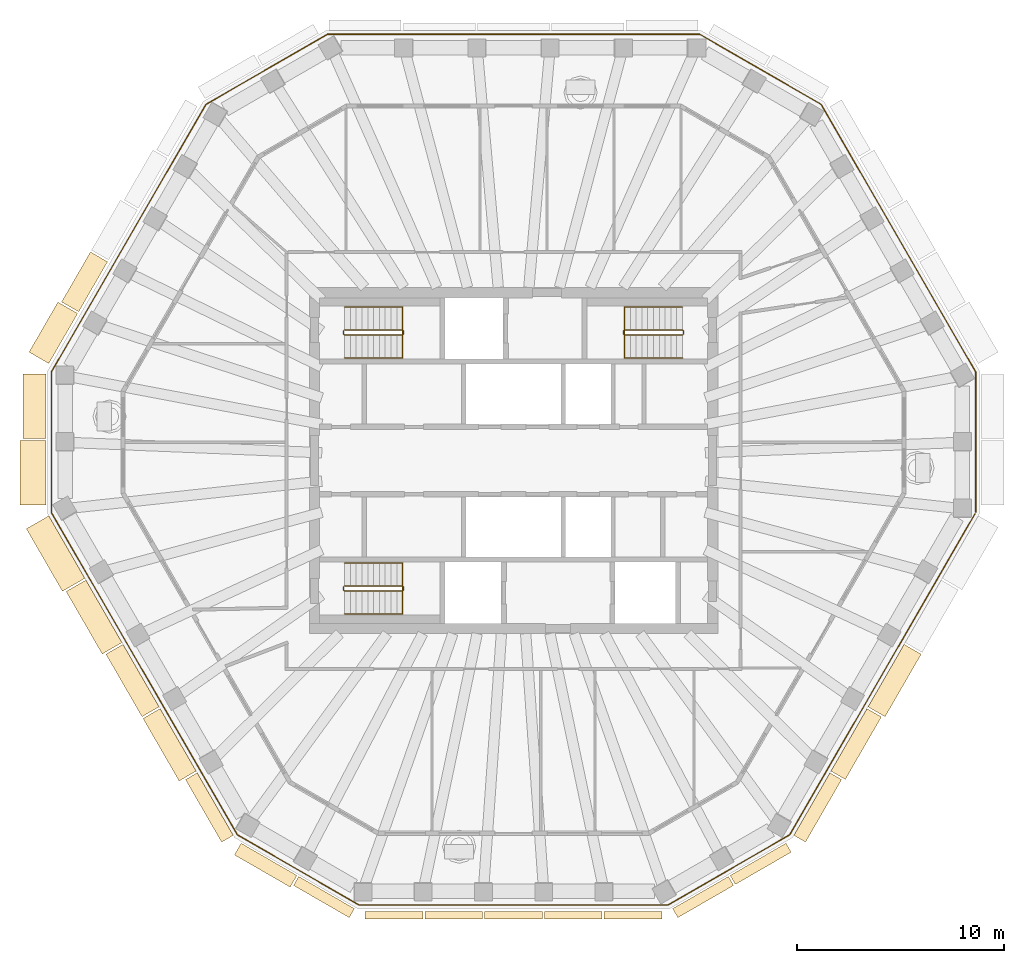
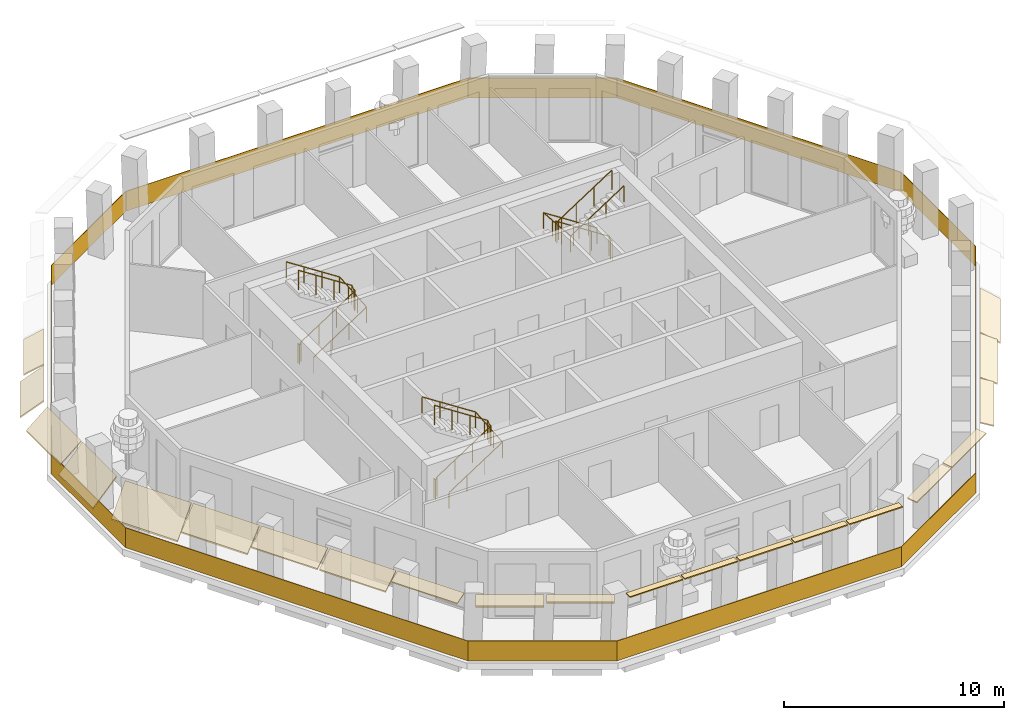
# One storey, part 8 of 11: 21 coverings, 7 railings.
"""IFC4 building model written with IfcOpenShell, lengths in metres."""

import ifcopenshell
import ifcopenshell.guid

model = None  # the IFC model being written
_history = None  # IfcOwnerHistory: only IFC2X3 demands one
_inside = {}  # id of a spatial element -> (the spatial element, [elements in it])
_under = {}  # id of a project, library or spatial element -> (it, [spatial elements below it])
_declared = {}  # id of a project -> (the project, [libraries it declares])
_typed = {}  # id of a type object -> (the type object, [elements of that type])
_made_of = {}  # id of a material, layer set ... -> (it, [elements and type objects made of it])


def new_model(schema):
    """Start an empty IFC model of exactly this schema.

    Asked for "IFC4X3", IfcOpenShell would pick the latest addendum, in which some entities
    have other attributes; the version numbers below select the first issue.
    IFC2X3 requires an IfcOwnerHistory on every rooted entity: one is made here for all.
    """
    global model, _history
    if schema == "IFC4X3":
        model = ifcopenshell.file(schema_version=(4, 3, 0, 0))
    else:
        model = ifcopenshell.file(schema=schema)
    _inside.clear()
    _under.clear()
    _declared.clear()
    _typed.clear()
    _made_of.clear()
    _history = None
    if model.schema == "IFC2X3":
        org = make("IfcOrganization", Name="unknown")
        user = make(
            "IfcPersonAndOrganization",
            ThePerson=make("IfcPerson", FamilyName="unknown"),
            TheOrganization=org,
        )
        app = make(
            "IfcApplication",
            ApplicationDeveloper=org,
            Version="unknown",
            ApplicationFullName="unknown",
            ApplicationIdentifier="unknown",
        )
        _history = make(
            "IfcOwnerHistory",
            OwningUser=user,
            OwningApplication=app,
            ChangeAction="ADDED",
            CreationDate=0,
        )
    return model


def make(cls, **values):
    """One entity of the class cls with the attributes given. An attribute that is None is left unset."""
    return model.create_entity(
        cls, **{name: value for name, value in values.items() if value is not None}
    )


def rooted(cls, **values):
    """An entity with a GlobalId (a new one), such as an element, a storey or a relation."""
    return make(cls, GlobalId=ifcopenshell.guid.new(), OwnerHistory=_history, **values)


def si_unit(unit_type, name, prefix=None):
    """IfcSIUnit, for example si_unit("LENGTHUNIT", "METRE", prefix="MILLI")."""
    return make("IfcSIUnit", UnitType=unit_type, Prefix=prefix, Name=name)


def assignment(units):
    """IfcUnitAssignment: the units of a project."""
    return None if units is None else make("IfcUnitAssignment", Units=units)


def point(xyz):
    """IfcCartesianPoint."""
    return None if xyz is None else make("IfcCartesianPoint", Coordinates=xyz)


def direction(xyz):
    """IfcDirection."""
    return None if xyz is None else make("IfcDirection", DirectionRatios=xyz)


def frame(location, z_axis=None, x_axis=None):
    """IfcAxis2Placement3D, a coordinate frame: its origin and axes. An axis left out is left unset."""
    return make(
        "IfcAxis2Placement3D",
        Location=point(location),
        Axis=direction(z_axis),
        RefDirection=direction(x_axis),
    )


def frame_2d(location, x_axis=None):
    """IfcAxis2Placement2D, a coordinate frame in the plane: its origin and x axis."""
    return make(
        "IfcAxis2Placement2D", Location=point(location), RefDirection=direction(x_axis)
    )


def origin():
    """The frame at (0, 0, 0) with its axes left unset."""
    return frame((0.0, 0.0, 0.0))


def origin_2d():
    """The frame at (0, 0) in the plane with its x axis left unset."""
    return frame_2d((0.0, 0.0))


def place(relative_to, where):
    """IfcLocalPlacement: puts the frame where relative to a parent placement (None: the world)."""
    return make(
        "IfcLocalPlacement", PlacementRelTo=relative_to, RelativePlacement=where
    )


def context(
    kind, dimensions, precision=None, world=None, true_north=None, identifier=None
):
    """IfcGeometricRepresentationContext, for example the 3D "Model" context."""
    return make(
        "IfcGeometricRepresentationContext",
        ContextIdentifier=identifier,
        ContextType=kind,
        CoordinateSpaceDimension=dimensions,
        Precision=precision,
        WorldCoordinateSystem=world,
        TrueNorth=true_north,
    )


def subcontext(parent, identifier, kind, view, scale=None):
    """IfcGeometricRepresentationSubContext, for example "Body" below "Model"."""
    return make(
        "IfcGeometricRepresentationSubContext",
        ContextIdentifier=identifier,
        ContextType=kind,
        ParentContext=parent,
        TargetScale=scale,
        TargetView=view,
    )


def project(units=None, contexts=None):
    """IfcProject with its units and contexts."""
    return rooted(
        "IfcProject",
        Name="project",
        RepresentationContexts=contexts,
        UnitsInContext=assignment(units),
    )


def spatial(cls, under=None, at=None, **own):
    """A site, building, storey or space (cls), placed at a placement, below another one or the project."""
    s = rooted(cls, ObjectPlacement=at, **own)
    if under is not None:
        _under.setdefault(under.id(), (under, []))[1].append(s)
    return s


def polyline(points):
    """IfcPolyline through the points."""
    return make("IfcPolyline", Points=[point(p) for p in points])


def profile(cls, at=None, kind="AREA", **sizes):
    """A parametric profile (cls). Its sizes go by their IFC names, for example OverallWidth=200.0."""
    return make(cls, ProfileType=kind, Position=at, **sizes)


def rectangle(**sizes):
    """IfcRectangleProfileDef."""
    return profile("IfcRectangleProfileDef", **sizes)


def circle(**sizes):
    """IfcCircleProfileDef."""
    return profile("IfcCircleProfileDef", **sizes)


def outline(outer, holes=None, kind="AREA"):
    """IfcArbitraryClosedProfileDef: a profile drawn as a closed curve; with holes, ...WithVoids."""
    if holes is None:
        return make("IfcArbitraryClosedProfileDef", ProfileType=kind, OuterCurve=outer)
    return make(
        "IfcArbitraryProfileDefWithVoids",
        ProfileType=kind,
        OuterCurve=outer,
        InnerCurves=holes,
    )


def extrude(swept, where, along, depth):
    """IfcExtrudedAreaSolid: the profile swept, set in the frame where, extruded along a direction by depth."""
    return make(
        "IfcExtrudedAreaSolid",
        SweptArea=swept,
        Position=where,
        ExtrudedDirection=direction(along),
        Depth=depth,
    )


def shape(context_of_items, identifier, shape_type, items):
    """IfcShapeRepresentation: the items that make up one representation, for example the "Body"."""
    return make(
        "IfcShapeRepresentation",
        ContextOfItems=context_of_items,
        RepresentationIdentifier=identifier,
        RepresentationType=shape_type,
        Items=items,
    )


def material(Name=None, Category=None):
    """IfcMaterial."""
    return make("IfcMaterial", Name=Name, Category=Category)


def layer(
    of_material, thickness, ventilated=None, Name=None, Category=None, Priority=None
):
    """IfcMaterialLayer: one layer of a wall or slab, of a material (None: an air gap)."""
    return make(
        "IfcMaterialLayer",
        Material=of_material,
        LayerThickness=thickness,
        IsVentilated=ventilated,
        Name=Name,
        Category=Category,
        Priority=Priority,
    )


def layer_set(layers, Name=None):
    """IfcMaterialLayerSet."""
    return make("IfcMaterialLayerSet", MaterialLayers=layers, LayerSetName=Name)


def made_of(thing, what):
    """Note that an element or type object is made of a material, layer set ...; save() writes the relation."""
    if what is not None:
        _made_of.setdefault(what.id(), (what, []))[1].append(thing)
    return thing


def type_object(cls, material=None, **own):
    """A type object (cls), such as IfcWallType, which elements share."""
    return made_of(rooted(cls, **own), material)


def element(
    cls,
    number,
    at=None,
    inside=None,
    cuts=None,
    type_object=None,
    material=None,
    context=None,
    identifier="Body",
    shape_type=None,
    held_by="IfcProductDefinitionShape",
    body=None,
    shapes=None,
    **own,
):
    """One element of the class cls, such as IfcWall. Its Tag is "e" and its number.

    at: its placement. inside: the storey or other place that contains it. cuts: it is an
    opening in that element (IfcRelVoidsElement). A single representation is given by context,
    identifier, shape_type and body (its items); several are given by shapes. held_by: the class
    of the entity that holds the representations. save() writes the other relations.
    """
    e = rooted(cls, Tag="e%d" % number, ObjectPlacement=at, **own)
    if body is not None:
        shapes = [shape(context, identifier, shape_type, body)]
    if shapes is not None:
        e.Representation = make(held_by, Representations=shapes)
    if inside is not None:
        _inside.setdefault(inside.id(), (inside, []))[1].append(e)
    if cuts is not None:
        rooted(
            "IfcRelVoidsElement", RelatingBuildingElement=cuts, RelatedOpeningElement=e
        )
    if type_object is not None:
        _typed.setdefault(type_object.id(), (type_object, []))[1].append(e)
    return made_of(e, material)


def aggregate(whole, parts):
    """IfcRelAggregates: a whole, such as a stair, and the parts it consists of."""
    return rooted("IfcRelAggregates", RelatingObject=whole, RelatedObjects=parts)


def save(model, path):
    """Write the relations noted so far, then the file.

    IfcRelAggregates (storeys below a building ...), IfcRelContainedInSpatialStructure (elements
    in a storey), IfcRelDefinesByType, IfcRelAssociatesMaterial and IfcRelDeclares: one each for
    every whole, place, type object, material and project.
    """
    for whole, parts in _under.values():
        aggregate(whole, parts)
    for where, things in _inside.values():
        rooted(
            "IfcRelContainedInSpatialStructure",
            RelatedElements=things,
            RelatingStructure=where,
        )
    for kind, things in _typed.values():
        rooted("IfcRelDefinesByType", RelatedObjects=things, RelatingType=kind)
    for what, things in _made_of.values():
        rooted("IfcRelAssociatesMaterial", RelatedObjects=things, RelatingMaterial=what)
    for by, libraries in _declared.values():
        rooted("IfcRelDeclares", RelatingContext=by, RelatedDefinitions=libraries)
    model.write(path)


model = new_model("IFC4")

# Units and contexts
model_context = context("Model", 3, precision=1e-05, world=origin(), true_north=direction((0.0, 1.0)))
body_context = subcontext(model_context, "Body", "Model", "MODEL_VIEW")
ifc_project = project(units=[si_unit("LENGTHUNIT", "METRE"), si_unit("AREAUNIT", "SQUARE_METRE"), si_unit("VOLUMEUNIT", "CUBIC_METRE"), si_unit("PLANEANGLEUNIT", "RADIAN"), si_unit("MASSUNIT", "GRAM", prefix="KILO")], contexts=[model_context])

# Site, building, storey
site_placement = place(None, origin())
site = spatial("IfcSite", under=ifc_project, at=site_placement, CompositionType="ELEMENT")
building_placement = place(site_placement, origin())
building = spatial("IfcBuilding", under=site, at=building_placement, Name="Frailejon Research Tower", CompositionType="ELEMENT")
storey_placement = place(building_placement, frame((0.0, 0.0, 336.60009765625)))
storey = spatial("IfcBuildingStorey", under=building, at=storey_placement, Name="L75", CompositionType="ELEMENT", Elevation=336.60009765625)

# Coverings
ifc_material_1 = material(Name="Precast concrete C50/60", Category="concrete")
ifc_layer_1 = layer(ifc_material_1, 0.06005859375)
ifc_layer_set_1 = layer_set([ifc_layer_1], Name="Brim blade depth 1100")
covering_type_1 = type_object("IfcCoveringType", Name="Brim blade depth 1100", PredefinedType="CLADDING", material=ifc_layer_set_1)
covering_1_placement = place(storey_placement, frame((-22.419189453125, 4.679931640625, 3.849853515625), z_axis=(0.499985704185, 0.86603365732, 0.0), x_axis=(-0.86603365732, 0.499985704185, 0.0)))
element("IfcCovering", 1, at=covering_1_placement, inside=storey, type_object=covering_type_1, Name="Brim blade L75", PredefinedType="CLADDING", context=body_context, shape_type="SweptSolid", body=[
    extrude(outline(polyline([(0.0, -0.078369140625), (1.10009765625, -1.001220703125), (1.10009765625, -0.923095703125), (0.0, 0.0), (0.0, -0.078369140625)])), origin(), (0.0, 0.0, 1.0), 2.78271484375),
])
covering_2_placement = place(storey_placement, frame((-22.55810546875, 1.0556640625, 3.849853515625), z_axis=(0.0, 1.0, 0.0), x_axis=(-1.0, 0.0, 0.0)))
element("IfcCovering", 2, at=covering_2_placement, inside=storey, type_object=covering_type_1, Name="Brim blade L75", PredefinedType="CLADDING", context=body_context, shape_type="SweptSolid", body=[
    extrude(outline(polyline([(0.0, -0.078369140625), (1.10009765625, -1.001220703125), (1.10009765625, -0.923095703125), (0.0, 0.0), (0.0, -0.078369140625)])), origin(), (0.0, 0.0, 1.0), 3.106201171875),
])
covering_3_placement = place(storey_placement, frame((-18.889892578125, -8.78173828125, 3.849853515625), z_axis=(-0.500006209744, 0.866021818557, 0.0), x_axis=(-0.866021818557, -0.500006209744, 0.0)))
element("IfcCovering", 3, at=covering_3_placement, inside=storey, type_object=covering_type_1, Name="Brim blade L75", PredefinedType="CLADDING", context=body_context, shape_type="SweptSolid", body=[
    extrude(outline(polyline([(0.0, -0.078369140625), (1.10009765625, -1.001220703125), (1.10009765625, -0.923095703125), (0.0, 0.0), (0.0, -0.078369140625)])), origin(), (0.0, 0.0, 1.0), 3.4794921875),
])
ifc_material_2 = material(Name="Precast concrete C50/60", Category="concrete")
ifc_layer_2 = layer(ifc_material_2, 0.06005859375)
ifc_layer_set_2 = layer_set([ifc_layer_2], Name="Brim blade depth 1250")
covering_type_2 = type_object("IfcCoveringType", Name="Brim blade depth 1250", PredefinedType="CLADDING", material=ifc_layer_set_2)
covering_4_placement = place(storey_placement, frame((-22.55810546875, -2.150390625, 3.849853515625), z_axis=(0.0, 1.0, 0.0), x_axis=(-1.0, 0.0, 0.0)))
element("IfcCovering", 4, at=covering_4_placement, inside=storey, type_object=covering_type_2, Name="Brim blade L75", PredefinedType="CLADDING", context=body_context, shape_type="SweptSolid", body=[
    extrude(outline(polyline([(0.0, -0.0888671875), (1.25, -1.452880859375), (1.25, -1.364013671875), (0.0, 0.0), (0.0, -0.0888671875)])), origin(), (0.0, 0.0, 1.0), 3.10595703125),
])
covering_5_placement = place(storey_placement, frame((-20.679443359375, -5.681884765625, 3.849853515625), z_axis=(-0.499994112085, 0.866028803147, 0.0), x_axis=(-0.866028803147, -0.499994112085, 0.0)))
element("IfcCovering", 5, at=covering_5_placement, inside=storey, type_object=covering_type_2, Name="Brim blade L75", PredefinedType="CLADDING", context=body_context, shape_type="SweptSolid", body=[
    extrude(outline(polyline([(0.0, -0.0888671875), (1.25, -1.452880859375), (1.25, -1.364013671875), (0.0, 0.0), (0.0, -0.0888671875)])), origin(), (0.0, 0.0, 1.0), 3.4794921875),
])
ifc_material_3 = material(Name="Precast concrete C50/60", Category="concrete")
ifc_layer_3 = layer(ifc_material_3, 0.06005859375)
ifc_layer_set_3 = layer_set([ifc_layer_3], Name="Brim blade depth 350")
covering_type_3 = type_object("IfcCoveringType", Name="Brim blade depth 350", PredefinedType="CLADDING", material=ifc_layer_set_3)
for number, where, z_axis, x_axis, name in (
    (6, (-4.3740234375, -21.755615234375, 3.849853515625), (-1.0, 0.0, 0.0), (0.0, -1.0, 0.0), "Brim blade L75"),
    (7, (-1.4912109375, -21.755615234375, 3.849853515625), (-1.0, 0.0, 0.0), (0.0, -1.0, 0.0), "Brim blade L75"),
    (8, (1.391357421875, -21.755615234375, 3.849853515625), (-1.0, 0.0, 0.0), (0.0, -1.0, 0.0), "Brim blade L75"),
    (9, (4.27392578125, -21.755615234375, 3.849853515625), (-1.0, 0.0, 0.0), (0.0, -1.0, 0.0), "Brim blade L75"),
    (10, (7.156494140625, -21.755615234375, 3.849853515625), (-1.0, 0.0, 0.0), (0.0, -1.0, 0.0), "Brim blade L75"),
):
    element("IfcCovering", number, at=place(storey_placement, frame(where, z_axis=z_axis, x_axis=x_axis)), inside=storey, type_object=covering_type_3, Name=name, PredefinedType="CLADDING", context=body_context, shape_type="SweptSolid", body=[
        extrude(outline(polyline([(0.0, -0.06005859375), (0.35009765625, -0.06005859375), (0.35009765625, 0.0), (0.0, 0.0), (0.0, -0.06005859375)])), origin(), (0.0, 0.0, 1.0), 2.78271484375),
    ])
ifc_material_4 = material(Name="Precast concrete C50/60", Category="concrete")
ifc_layer_4 = layer(ifc_material_4, 0.06005859375)
ifc_layer_set_4 = layer_set([ifc_layer_4], Name="Brim blade depth 500")
covering_type_4 = type_object("IfcCoveringType", Name="Brim blade depth 500", PredefinedType="CLADDING", material=ifc_layer_set_4)
for number, where, z_axis, x_axis, name in (
    (11, (-7.6748046875, -21.61669921875, 3.849853515625), (-0.866034959906, 0.499983447946, 0.0), (-0.499983447946, -0.866034959906, 0.0), "Brim blade L75"),
    (12, (10.364990234375, -20.063720703125, 3.849853515625), (-0.866034959906, -0.499983447946, 0.0), (0.499983447946, -0.866034959906, 0.0), "Brim blade L75"),
):
    element("IfcCovering", number, at=place(storey_placement, frame(where, z_axis=z_axis, x_axis=x_axis)), inside=storey, type_object=covering_type_4, Name=name, PredefinedType="CLADDING", context=body_context, shape_type="SweptSolid", body=[
        extrude(outline(polyline([(0.0, -0.060546875), (0.5, -0.130859375), (0.5, -0.0703125), (0.0, 0.0), (0.0, -0.060546875)])), origin(), (0.0, 0.0, 1.0), 3.106201171875),
    ])
covering_6_placement = place(storey_placement, frame((13.141357421875, -18.460693359375, 3.849853515625), z_axis=(-0.86602716254, -0.499996953734, 0.0), x_axis=(0.499996953734, -0.86602716254, 0.0)))
element("IfcCovering", 13, at=covering_6_placement, inside=storey, type_object=covering_type_4, Name="Brim blade L75", PredefinedType="CLADDING", context=body_context, shape_type="SweptSolid", body=[
    extrude(outline(polyline([(0.0, -0.060546875), (0.5, -0.130859375), (0.5, -0.0703125), (0.0, 0.0), (0.0, -0.060546875)])), origin(), (0.0, 0.0, 1.0), 3.10595703125),
])
ifc_material_5 = material(Name="Precast concrete C50/60", Category="concrete")
ifc_layer_5 = layer(ifc_material_5, 0.06005859375)
ifc_layer_set_5 = layer_set([ifc_layer_5], Name="Brim blade depth 650")
covering_type_5 = type_object("IfcCoveringType", Name="Brim blade depth 650", PredefinedType="CLADDING", material=ifc_layer_set_5)
covering_7_placement = place(storey_placement, frame((-13.520751953125, -18.081298828125, 3.849853515625), z_axis=(-0.499994112085, 0.866028803147, 0.0), x_axis=(-0.866028803147, -0.499994112085, 0.0)))
element("IfcCovering", 14, at=covering_7_placement, inside=storey, type_object=covering_type_5, Name="Brim blade L75", PredefinedType="CLADDING", context=body_context, shape_type="SweptSolid", body=[
    extrude(outline(polyline([(0.0, -0.0625), (0.64990234375, -0.248779296875), (0.64990234375, -0.186279296875), (0.0, 0.0), (0.0, -0.0625)])), origin(), (0.0, 0.0, 1.0), 3.4794921875),
])
covering_8_placement = place(storey_placement, frame((-10.451416015625, -20.013671875, 3.849853515625), z_axis=(-0.86602716254, 0.499996953734, 0.0), x_axis=(-0.499996953734, -0.86602716254, 0.0)))
element("IfcCovering", 15, at=covering_8_placement, inside=storey, type_object=covering_type_5, Name="Brim blade L75", PredefinedType="CLADDING", context=body_context, shape_type="SweptSolid", body=[
    extrude(outline(polyline([(0.0, -0.0625), (0.64990234375, -0.248779296875), (0.64990234375, -0.186279296875), (0.0, 0.0), (0.0, -0.0625)])), origin(), (0.0, 0.0, 1.0), 3.10595703125),
])
covering_9_placement = place(storey_placement, frame((15.260498046875, -15.068115234375, 3.849853515625), z_axis=(-0.499994112085, -0.866028803147, 0.0), x_axis=(0.866028803147, -0.499994112085, 0.0)))
element("IfcCovering", 16, at=covering_9_placement, inside=storey, type_object=covering_type_5, Name="Brim blade L75", PredefinedType="CLADDING", context=body_context, shape_type="SweptSolid", body=[
    extrude(outline(polyline([(0.0, -0.0625), (0.64990234375, -0.248779296875), (0.64990234375, -0.186279296875), (0.0, 0.0), (0.0, -0.0625)])), origin(), (0.0, 0.0, 1.0), 3.4794921875),
])
ifc_material_6 = material(Name="Precast concrete C50/60", Category="concrete")
ifc_layer_6 = layer(ifc_material_6, 0.06005859375)
ifc_layer_set_6 = layer_set([ifc_layer_6], Name="Brim blade depth 800")
covering_type_6 = type_object("IfcCoveringType", Name="Brim blade depth 800", PredefinedType="CLADDING", material=ifc_layer_set_6)
covering_10_placement = place(storey_placement, frame((17.05029296875, -11.96826171875, 3.849853515625), z_axis=(-0.500006209744, -0.866021818557, 0.0), x_axis=(0.866021818557, -0.500006209744, 0.0)))
element("IfcCovering", 17, at=covering_10_placement, inside=storey, type_object=covering_type_6, Name="Brim blade L75", PredefinedType="CLADDING", context=body_context, shape_type="SweptSolid", body=[
    extrude(outline(polyline([(0.0, -0.065673828125), (0.800048828125, -0.421875), (0.800048828125, -0.356201171875), (0.0, 0.0), (0.0, -0.065673828125)])), origin(), (0.0, 0.0, 1.0), 3.4794921875),
])
ifc_material_7 = material(Name="Precast concrete C50/60", Category="concrete")
ifc_layer_7 = layer(ifc_material_7, 0.06005859375)
ifc_layer_set_7 = layer_set([ifc_layer_7], Name="Brim blade depth 950")
covering_type_7 = type_object("IfcCoveringType", Name="Brim blade depth 950", PredefinedType="CLADDING", material=ifc_layer_set_7)
covering_11_placement = place(storey_placement, frame((-20.977783203125, 7.176513671875, 3.849853515625), z_axis=(0.500000725089, 0.866024985154, 0.0), x_axis=(-0.866024985154, 0.500000725089, 0.0)))
element("IfcCovering", 18, at=covering_11_placement, inside=storey, type_object=covering_type_7, Name="Brim blade L75", PredefinedType="CLADDING", context=body_context, shape_type="SweptSolid", body=[
    extrude(outline(polyline([(0.0, -0.07080078125), (0.949951171875, -0.664306640625), (0.949951171875, -0.593505859375), (0.0, 0.0), (0.0, -0.07080078125)])), origin(), (0.0, 0.0, 1.0), 2.78271484375),
])
covering_12_placement = place(storey_placement, frame((-17.10009765625, -11.881591796875, 3.849853515625), z_axis=(-0.49998525603, 0.866033916052, 0.0), x_axis=(-0.866033916052, -0.49998525603, 0.0)))
element("IfcCovering", 19, at=covering_12_placement, inside=storey, type_object=covering_type_7, Name="Brim blade L75", PredefinedType="CLADDING", context=body_context, shape_type="SweptSolid", body=[
    extrude(outline(polyline([(0.0, -0.07080078125), (0.949951171875, -0.664306640625), (0.949951171875, -0.593505859375), (0.0, 0.0), (0.0, -0.07080078125)])), origin(), (0.0, 0.0, 1.0), 3.479248046875),
])
covering_13_placement = place(storey_placement, frame((-15.310546875, -14.9814453125, 3.849853515625), z_axis=(-0.500006209744, 0.866021818557, 0.0), x_axis=(-0.866021818557, -0.500006209744, 0.0)))
element("IfcCovering", 20, at=covering_13_placement, inside=storey, type_object=covering_type_7, Name="Brim blade L75", PredefinedType="CLADDING", context=body_context, shape_type="SweptSolid", body=[
    extrude(outline(polyline([(0.0, -0.07080078125), (0.949951171875, -0.664306640625), (0.949951171875, -0.593505859375), (0.0, 0.0), (0.0, -0.07080078125)])), origin(), (0.0, 0.0, 1.0), 3.4794921875),
])
covering_14_placement = place(storey_placement, frame((18.83984375, -8.868408203125, 3.849853515625), z_axis=(-0.49998525603, -0.866033916052, 0.0), x_axis=(0.866033916052, -0.49998525603, 0.0)))
element("IfcCovering", 21, at=covering_14_placement, inside=storey, type_object=covering_type_7, Name="Brim blade L75", PredefinedType="CLADDING", context=body_context, shape_type="SweptSolid", body=[
    extrude(outline(polyline([(0.0, -0.07080078125), (0.949951171875, -0.664306640625), (0.949951171875, -0.593505859375), (0.0, 0.0), (0.0, -0.07080078125)])), origin(), (0.0, 0.0, 1.0), 3.479248046875),
])

# Railings
ifc_material_8 = material(Name="Laminated glass balustrade", Category="glass")
railing_type_1 = type_object("IfcRailingType", Name="Glass guard 1100", PredefinedType="GUARDRAIL", material=ifc_material_8)
railing_1_placement = place(storey_placement, frame((22.296630859375, -2.50341796875, 0.0)))
element("IfcRailing", 22, at=railing_1_placement, inside=storey, type_object=railing_type_1, Name="Loggia guard L75", PredefinedType="GUARDRAIL", context=body_context, shape_type="SweptSolid", body=[
    extrude(rectangle(XDim=6.7666015625, YDim=0.030029296875, at=origin_2d()), frame((0.0, 3.38330078125, 0.0), z_axis=(0.0, 0.0, 1.0), x_axis=(0.0, 1.0, 0.0)), (0.0, 0.0, 1.0), 1.10009765625),
    extrude(rectangle(XDim=14.91259765625, YDim=0.030029296875, at=origin_2d()), frame((-3.72802734375, 13.22412109375, 0.0), z_axis=(0.0, 0.0, 1.0), x_axis=(-0.499996907167, 0.866027189425, 0.0)), (0.0, 0.0, 1.0), 1.10009765625),
    extrude(rectangle(XDim=6.766357421875, YDim=0.030029296875, at=origin_2d()), frame((-10.38623046875, 21.373046875, 0.0), z_axis=(0.0, 0.0, 1.0), x_axis=(-0.866034171151, 0.499984814167, 0.0)), (0.0, 0.0, 1.0), 1.10009765625),
    extrude(rectangle(XDim=17.9609375, YDim=0.030029296875, at=origin_2d()), frame((-22.296630859375, 23.064453125, 0.0), z_axis=(0.0, 0.0, 1.0), x_axis=(-1.0, 0.0, 0.0)), (0.0, 0.0, 1.0), 1.10009765625),
    extrude(rectangle(XDim=6.766357421875, YDim=0.030029296875, at=origin_2d()), frame((-34.20703125, 21.373046875, 0.0), z_axis=(0.0, 0.0, 1.0), x_axis=(-0.866034171151, -0.499984814167, 0.0)), (0.0, 0.0, 1.0), 1.10009765625),
    extrude(rectangle(XDim=14.91259765625, YDim=0.030029296875, at=origin_2d()), frame((-40.865234375, 13.22412109375, 0.0), z_axis=(0.0, 0.0, 1.0), x_axis=(-0.499996907167, -0.866027189425, 0.0)), (0.0, 0.0, 1.0), 1.10009765625),
    extrude(rectangle(XDim=6.7666015625, YDim=0.030029296875, at=origin_2d()), frame((-44.59326171875, 3.38330078125, 0.0), z_axis=(0.0, 0.0, 1.0), x_axis=(0.0, -1.0, 0.0)), (0.0, 0.0, 1.0), 1.10009765625),
    extrude(rectangle(XDim=17.960693359375, YDim=0.030029296875, at=origin_2d()), frame((-40.10302734375, -7.77734375, 0.0), z_axis=(0.0, 0.0, 1.0), x_axis=(0.500004455092, -0.866022831621, 0.0)), (0.0, 0.0, 1.0), 1.10009765625),
    extrude(rectangle(XDim=6.766357421875, YDim=0.030029296875, at=origin_2d()), frame((-32.682861328125, -17.24609375, 0.0), z_axis=(0.0, 0.0, 1.0), x_axis=(0.866018547471, -0.500011875296, 0.0)), (0.0, 0.0, 1.0), 1.10009765625),
    extrude(rectangle(XDim=14.91259765625, YDim=0.030029296875, at=origin_2d()), frame((-22.296630859375, -18.937744140625, 0.0), z_axis=(0.0, 0.0, 1.0), x_axis=(1.0, 0.0, 0.0)), (0.0, 0.0, 1.0), 1.10009765625),
    extrude(rectangle(XDim=6.766357421875, YDim=0.030029296875, at=origin_2d()), frame((-11.910400390625, -17.24609375, 0.0), z_axis=(0.0, 0.0, 1.0), x_axis=(0.866018547471, 0.500011875296, 0.0)), (0.0, 0.0, 1.0), 1.10009765625),
    extrude(rectangle(XDim=17.890869140625, YDim=0.030029296875, at=origin_2d()), frame((-4.5078125, -7.8076171875, 0.0), z_axis=(0.0, 0.0, 1.0), x_axis=(0.500006344051, 0.866021741014, 0.0)), (0.0, 0.0, 1.0), 1.10009765625),
])
ifc_material_9 = material(Name="Stainless steel", Category="steel")
railing_type_2 = type_object("IfcRailingType", Name="Stair guard 1100", PredefinedType="GUARDRAIL", material=ifc_material_9)
railing_2_placement = place(storey_placement, frame((-8.199951171875, 6.25, 0.0)))
element("IfcRailing", 23, at=railing_2_placement, inside=storey, type_object=railing_type_2, Name="L75 ST1 stair guard 1", PredefinedType="GUARDRAIL", context=body_context, shape_type="SweptSolid", body=[
    extrude(circle(Radius=0.02392578125, at=origin_2d()), frame((0.0, 0.0, 1.076171875), z_axis=(0.0, -1.0, 0.0), x_axis=(1.0, 0.0, 0.0)), (0.0, 0.0, 1.0), 0.14990234375),
    extrude(circle(Radius=0.02392578125, at=origin_2d()), frame((0.0, -0.14990234375, 1.076171875), z_axis=(0.256734642926, -0.256734642926, 0.931758899203), x_axis=(0.707106781187, 0.707106781187, 0.0)), (0.0, 0.0, 1.0), 0.19482421875),
    extrude(circle(Radius=0.02392578125, at=origin_2d()), frame((0.050048828125, -0.199951171875, 1.2578125), z_axis=(0.838650734948, 0.0, 0.544669573936), x_axis=(0.0, 1.0, 0.0)), (0.0, 0.0, 1.0), 3.33837890625),
    extrude(circle(Radius=0.02392578125, at=origin_2d()), frame((2.849853515625, -0.199951171875, 3.076171875), z_axis=(0.707106781187, 0.707106781187, 0.0), x_axis=(-0.707106781187, 0.707106781187, 0.0)), (0.0, 0.0, 1.0), 0.07080078125),
    extrude(circle(Radius=0.02392578125, at=origin_2d()), frame((2.89990234375, -0.14990234375, 3.076171875), z_axis=(0.0, 1.0, 0.0), x_axis=(-1.0, 0.0, 0.0)), (0.0, 0.0, 1.0), 0.14990234375),
    extrude(circle(Radius=0.02392578125, at=origin_2d()), frame((2.89990234375, 0.0, 3.076171875), z_axis=(-0.256734642926, 0.256734642926, 0.931758899203), x_axis=(-0.707106781187, -0.707106781187, 0.0)), (0.0, 0.0, 1.0), 0.19482421875),
    extrude(circle(Radius=0.02392578125, at=origin_2d()), frame((2.849853515625, 0.050048828125, 3.2578125), z_axis=(-0.838650734948, 0.0, 0.544669573936), x_axis=(0.0, -1.0, 0.0)), (0.0, 0.0, 1.0), 3.33837890625),
    extrude(circle(Radius=0.02099609375, at=origin_2d()), origin(), (0.0, 0.0, 1.0), 1.052001953125),
    extrude(circle(Radius=0.02099609375, at=origin_2d()), frame((0.0, -0.14990234375, 0.0)), (0.0, 0.0, 1.0), 1.052001953125),
    extrude(circle(Radius=0.02099609375, at=origin_2d()), frame((0.050048828125, -0.199951171875, 0.181640625)), (0.0, 0.0, 1.0), 1.052001953125),
    extrude(circle(Radius=0.02099609375, at=origin_2d()), frame((0.9833984375, -0.199951171875, 0.787841796875)), (0.0, 0.0, 1.0), 1.052001953125),
    extrude(circle(Radius=0.02099609375, at=origin_2d()), frame((1.91650390625, -0.199951171875, 1.393798828125)), (0.0, 0.0, 1.0), 1.052001953125),
    extrude(circle(Radius=0.02099609375, at=origin_2d()), frame((2.849853515625, -0.199951171875, 2.0)), (0.0, 0.0, 1.0), 1.052001953125),
    extrude(circle(Radius=0.02099609375, at=origin_2d()), frame((2.89990234375, -0.14990234375, 2.0)), (0.0, 0.0, 1.0), 1.052001953125),
    extrude(circle(Radius=0.02099609375, at=origin_2d()), frame((2.89990234375, 0.0, 2.0)), (0.0, 0.0, 1.0), 1.052001953125),
    extrude(circle(Radius=0.02099609375, at=origin_2d()), frame((2.849853515625, 0.050048828125, 2.181640625)), (0.0, 0.0, 1.0), 1.052001953125),
    extrude(circle(Radius=0.02099609375, at=origin_2d()), frame((1.91650390625, 0.050048828125, 2.787841796875)), (0.0, 0.0, 1.0), 1.052001953125),
    extrude(circle(Radius=0.02099609375, at=origin_2d()), frame((0.9833984375, 0.050048828125, 3.393798828125)), (0.0, 0.0, 1.0), 1.052001953125),
    extrude(circle(Radius=0.02099609375, at=origin_2d()), frame((0.050048828125, 0.050048828125, 4.0)), (0.0, 0.0, 1.0), 1.052001953125),
])
railing_3_placement = place(storey_placement, frame((-8.199951171875, -6.10009765625, 0.0)))
element("IfcRailing", 24, at=railing_3_placement, inside=storey, type_object=railing_type_2, Name="L75 ST2 stair guard 1", PredefinedType="GUARDRAIL", context=body_context, shape_type="SweptSolid", body=[
    extrude(circle(Radius=0.02392578125, at=origin_2d()), frame((0.0, 0.0, 1.076171875), z_axis=(0.0, -1.0, 0.0), x_axis=(1.0, 0.0, 0.0)), (0.0, 0.0, 1.0), 0.14990234375),
    extrude(circle(Radius=0.02392578125, at=origin_2d()), frame((0.0, -0.14990234375, 1.076171875), z_axis=(0.256734642926, -0.256734642926, 0.931758899203), x_axis=(0.707106781187, 0.707106781187, 0.0)), (0.0, 0.0, 1.0), 0.19482421875),
    extrude(circle(Radius=0.02392578125, at=origin_2d()), frame((0.050048828125, -0.199951171875, 1.2578125), z_axis=(0.838650734948, 0.0, 0.544669573936), x_axis=(0.0, 1.0, 0.0)), (0.0, 0.0, 1.0), 3.33837890625),
    extrude(circle(Radius=0.02392578125, at=origin_2d()), frame((2.849853515625, -0.199951171875, 3.076171875), z_axis=(0.707106781187, 0.707106781187, 0.0), x_axis=(-0.707106781187, 0.707106781187, 0.0)), (0.0, 0.0, 1.0), 0.07080078125),
    extrude(circle(Radius=0.02392578125, at=origin_2d()), frame((2.89990234375, -0.14990234375, 3.076171875), z_axis=(0.0, 1.0, 0.0), x_axis=(-1.0, 0.0, 0.0)), (0.0, 0.0, 1.0), 0.14990234375),
    extrude(circle(Radius=0.02392578125, at=origin_2d()), frame((2.89990234375, 0.0, 3.076171875), z_axis=(-0.256734642926, 0.256734642926, 0.931758899203), x_axis=(-0.707106781187, -0.707106781187, 0.0)), (0.0, 0.0, 1.0), 0.19482421875),
    extrude(circle(Radius=0.02392578125, at=origin_2d()), frame((2.849853515625, 0.050048828125, 3.2578125), z_axis=(-0.838650734948, 0.0, 0.544669573936), x_axis=(0.0, -1.0, 0.0)), (0.0, 0.0, 1.0), 3.33837890625),
    extrude(circle(Radius=0.02099609375, at=origin_2d()), origin(), (0.0, 0.0, 1.0), 1.052001953125),
    extrude(circle(Radius=0.02099609375, at=origin_2d()), frame((0.0, -0.14990234375, 0.0)), (0.0, 0.0, 1.0), 1.052001953125),
    extrude(circle(Radius=0.02099609375, at=origin_2d()), frame((0.050048828125, -0.199951171875, 0.181640625)), (0.0, 0.0, 1.0), 1.052001953125),
    extrude(circle(Radius=0.02099609375, at=origin_2d()), frame((0.9833984375, -0.199951171875, 0.787841796875)), (0.0, 0.0, 1.0), 1.052001953125),
    extrude(circle(Radius=0.02099609375, at=origin_2d()), frame((1.91650390625, -0.199951171875, 1.393798828125)), (0.0, 0.0, 1.0), 1.052001953125),
    extrude(circle(Radius=0.02099609375, at=origin_2d()), frame((2.849853515625, -0.199951171875, 2.0)), (0.0, 0.0, 1.0), 1.052001953125),
    extrude(circle(Radius=0.02099609375, at=origin_2d()), frame((2.89990234375, -0.14990234375, 2.0)), (0.0, 0.0, 1.0), 1.052001953125),
    extrude(circle(Radius=0.02099609375, at=origin_2d()), frame((2.89990234375, 0.0, 2.0)), (0.0, 0.0, 1.0), 1.052001953125),
    extrude(circle(Radius=0.02099609375, at=origin_2d()), frame((2.849853515625, 0.050048828125, 2.181640625)), (0.0, 0.0, 1.0), 1.052001953125),
    extrude(circle(Radius=0.02099609375, at=origin_2d()), frame((1.91650390625, 0.050048828125, 2.787841796875)), (0.0, 0.0, 1.0), 1.052001953125),
    extrude(circle(Radius=0.02099609375, at=origin_2d()), frame((0.9833984375, 0.050048828125, 3.393798828125)), (0.0, 0.0, 1.0), 1.052001953125),
    extrude(circle(Radius=0.02099609375, at=origin_2d()), frame((0.050048828125, 0.050048828125, 4.0)), (0.0, 0.0, 1.0), 1.052001953125),
])
railing_4_placement = place(storey_placement, frame((8.199951171875, 6.10009765625, 0.0)))
element("IfcRailing", 25, at=railing_4_placement, inside=storey, type_object=railing_type_2, Name="L75 ST3 stair guard 1", PredefinedType="GUARDRAIL", context=body_context, shape_type="SweptSolid", body=[
    extrude(circle(Radius=0.02392578125, at=origin_2d()), frame((0.0, 0.0, 1.076171875), z_axis=(0.0, 1.0, 0.0), x_axis=(-1.0, 0.0, 0.0)), (0.0, 0.0, 1.0), 0.14990234375),
    extrude(circle(Radius=0.02392578125, at=origin_2d()), frame((0.0, 0.14990234375, 1.076171875), z_axis=(-0.256734642926, 0.256734642926, 0.931758899203), x_axis=(-0.707106781187, -0.707106781187, 0.0)), (0.0, 0.0, 1.0), 0.19482421875),
    extrude(circle(Radius=0.02392578125, at=origin_2d()), frame((-0.050048828125, 0.199951171875, 1.2578125), z_axis=(-0.838650734948, 0.0, 0.544669573936), x_axis=(0.0, -1.0, 0.0)), (0.0, 0.0, 1.0), 3.33837890625),
    extrude(circle(Radius=0.02392578125, at=origin_2d()), frame((-2.849853515625, 0.199951171875, 3.076171875), z_axis=(-0.707106781187, -0.707106781187, 0.0), x_axis=(0.707106781187, -0.707106781187, 0.0)), (0.0, 0.0, 1.0), 0.07080078125),
    extrude(circle(Radius=0.02392578125, at=origin_2d()), frame((-2.89990234375, 0.14990234375, 3.076171875), z_axis=(0.0, -1.0, 0.0), x_axis=(1.0, 0.0, 0.0)), (0.0, 0.0, 1.0), 0.14990234375),
    extrude(circle(Radius=0.02392578125, at=origin_2d()), frame((-2.89990234375, 0.0, 3.076171875), z_axis=(0.256734642926, -0.256734642926, 0.931758899203), x_axis=(0.707106781187, 0.707106781187, 0.0)), (0.0, 0.0, 1.0), 0.19482421875),
    extrude(circle(Radius=0.02392578125, at=origin_2d()), frame((-2.849853515625, -0.050048828125, 3.2578125), z_axis=(0.838650734948, 0.0, 0.544669573936), x_axis=(0.0, 1.0, 0.0)), (0.0, 0.0, 1.0), 3.33837890625),
    extrude(circle(Radius=0.02099609375, at=origin_2d()), origin(), (0.0, 0.0, 1.0), 1.052001953125),
    extrude(circle(Radius=0.02099609375, at=origin_2d()), frame((0.0, 0.14990234375, 0.0)), (0.0, 0.0, 1.0), 1.052001953125),
    extrude(circle(Radius=0.02099609375, at=origin_2d()), frame((-0.050048828125, 0.199951171875, 0.181640625)), (0.0, 0.0, 1.0), 1.052001953125),
    extrude(circle(Radius=0.02099609375, at=origin_2d()), frame((-0.9833984375, 0.199951171875, 0.787841796875)), (0.0, 0.0, 1.0), 1.052001953125),
    extrude(circle(Radius=0.02099609375, at=origin_2d()), frame((-1.91650390625, 0.199951171875, 1.393798828125)), (0.0, 0.0, 1.0), 1.052001953125),
    extrude(circle(Radius=0.02099609375, at=origin_2d()), frame((-2.849853515625, 0.199951171875, 2.0)), (0.0, 0.0, 1.0), 1.052001953125),
    extrude(circle(Radius=0.02099609375, at=origin_2d()), frame((-2.89990234375, 0.14990234375, 2.0)), (0.0, 0.0, 1.0), 1.052001953125),
    extrude(circle(Radius=0.02099609375, at=origin_2d()), frame((-2.89990234375, 0.0, 2.0)), (0.0, 0.0, 1.0), 1.052001953125),
    extrude(circle(Radius=0.02099609375, at=origin_2d()), frame((-2.849853515625, -0.050048828125, 2.181640625)), (0.0, 0.0, 1.0), 1.052001953125),
    extrude(circle(Radius=0.02099609375, at=origin_2d()), frame((-1.91650390625, -0.050048828125, 2.787841796875)), (0.0, 0.0, 1.0), 1.052001953125),
    extrude(circle(Radius=0.02099609375, at=origin_2d()), frame((-0.9833984375, -0.050048828125, 3.393798828125)), (0.0, 0.0, 1.0), 1.052001953125),
    extrude(circle(Radius=0.02099609375, at=origin_2d()), frame((-0.050048828125, -0.050048828125, 4.0)), (0.0, 0.0, 1.0), 1.052001953125),
])
ifc_material_10 = material(Name="Stainless steel", Category="steel")
railing_type_3 = type_object("IfcRailingType", Name="Stair handrail 900", PredefinedType="HANDRAIL", material=ifc_material_10)
railing_5_placement = place(storey_placement, frame((-8.14990234375, 4.949951171875, 0.181640625)))
element("IfcRailing", 26, at=railing_5_placement, inside=storey, type_object=railing_type_3, Name="L75 ST1 stair handrail 1", PredefinedType="HANDRAIL", context=body_context, shape_type="SweptSolid", body=[
    extrude(circle(Radius=0.02392578125, at=origin_2d()), frame((0.0, 0.0, 0.8759765625), z_axis=(0.838650734948, 0.0, 0.544669573936), x_axis=(0.0, 1.0, 0.0)), (0.0, 0.0, 1.0), 3.33837890625),
    extrude(circle(Radius=0.02392578125, at=origin_2d()), frame((2.7998046875, 0.0, 2.6943359375), z_axis=(0.0, 0.997262871482, 0.073937576122), x_axis=(-1.0, 0.0, 0.0)), (0.0, 0.0, 1.0), 2.456787109375),
    extrude(circle(Radius=0.02392578125, at=origin_2d()), frame((2.7998046875, 2.449951171875, 2.8759765625), z_axis=(-0.838650734948, 0.0, 0.544669573936), x_axis=(0.0, -1.0, 0.0)), (0.0, 0.0, 1.0), 3.33837890625),
    extrude(circle(Radius=0.02099609375, at=origin_2d()), origin(), (0.0, 0.0, 1.0), 0.851806640625),
    extrude(circle(Radius=0.02099609375, at=origin_2d()), frame((0.933349609375, 0.0, 0.606201171875)), (0.0, 0.0, 1.0), 0.851806640625),
    extrude(circle(Radius=0.02099609375, at=origin_2d()), frame((1.866455078125, 0.0, 1.212158203125)), (0.0, 0.0, 1.0), 0.851806640625),
    extrude(circle(Radius=0.02099609375, at=origin_2d()), frame((2.7998046875, 0.0, 1.818359375)), (0.0, 0.0, 1.0), 0.851806640625),
    extrude(circle(Radius=0.02099609375, at=origin_2d()), frame((2.7998046875, 0.816650390625, 1.87890625)), (0.0, 0.0, 1.0), 0.851806640625),
    extrude(circle(Radius=0.02099609375, at=origin_2d()), frame((2.7998046875, 1.63330078125, 1.939453125)), (0.0, 0.0, 1.0), 0.851806640625),
    extrude(circle(Radius=0.02099609375, at=origin_2d()), frame((2.7998046875, 2.449951171875, 2.0)), (0.0, 0.0, 1.0), 0.851806640625),
    extrude(circle(Radius=0.02099609375, at=origin_2d()), frame((1.866455078125, 2.449951171875, 2.606201171875)), (0.0, 0.0, 1.0), 0.851806640625),
    extrude(circle(Radius=0.02099609375, at=origin_2d()), frame((0.933349609375, 2.449951171875, 3.212158203125)), (0.0, 0.0, 1.0), 0.851806640625),
    extrude(circle(Radius=0.02099609375, at=origin_2d()), frame((0.0, 2.449951171875, 3.818359375)), (0.0, 0.0, 1.0), 0.851806640625),
])
railing_6_placement = place(storey_placement, frame((-8.14990234375, -7.39990234375, 0.181640625)))
element("IfcRailing", 27, at=railing_6_placement, inside=storey, type_object=railing_type_3, Name="L75 ST2 stair handrail 1", PredefinedType="HANDRAIL", context=body_context, shape_type="SweptSolid", body=[
    extrude(circle(Radius=0.02392578125, at=origin_2d()), frame((0.0, 0.0, 0.8759765625), z_axis=(0.838650734948, 0.0, 0.544669573936), x_axis=(0.0, 1.0, 0.0)), (0.0, 0.0, 1.0), 3.33837890625),
    extrude(circle(Radius=0.02392578125, at=origin_2d()), frame((2.7998046875, 0.0, 2.6943359375), z_axis=(0.0, 0.997262871482, 0.073937576122), x_axis=(-1.0, 0.0, 0.0)), (0.0, 0.0, 1.0), 2.456787109375),
    extrude(circle(Radius=0.02392578125, at=origin_2d()), frame((2.7998046875, 2.449951171875, 2.8759765625), z_axis=(-0.838650734948, 0.0, 0.544669573936), x_axis=(0.0, -1.0, 0.0)), (0.0, 0.0, 1.0), 3.33837890625),
    extrude(circle(Radius=0.02099609375, at=origin_2d()), origin(), (0.0, 0.0, 1.0), 0.851806640625),
    extrude(circle(Radius=0.02099609375, at=origin_2d()), frame((0.933349609375, 0.0, 0.606201171875)), (0.0, 0.0, 1.0), 0.851806640625),
    extrude(circle(Radius=0.02099609375, at=origin_2d()), frame((1.866455078125, 0.0, 1.212158203125)), (0.0, 0.0, 1.0), 0.851806640625),
    extrude(circle(Radius=0.02099609375, at=origin_2d()), frame((2.7998046875, 0.0, 1.818359375)), (0.0, 0.0, 1.0), 0.851806640625),
    extrude(circle(Radius=0.02099609375, at=origin_2d()), frame((2.7998046875, 0.816650390625, 1.87890625)), (0.0, 0.0, 1.0), 0.851806640625),
    extrude(circle(Radius=0.02099609375, at=origin_2d()), frame((2.7998046875, 1.63330078125, 1.939453125)), (0.0, 0.0, 1.0), 0.851806640625),
    extrude(circle(Radius=0.02099609375, at=origin_2d()), frame((2.7998046875, 2.449951171875, 2.0)), (0.0, 0.0, 1.0), 0.851806640625),
    extrude(circle(Radius=0.02099609375, at=origin_2d()), frame((1.866455078125, 2.449951171875, 2.606201171875)), (0.0, 0.0, 1.0), 0.851806640625),
    extrude(circle(Radius=0.02099609375, at=origin_2d()), frame((0.933349609375, 2.449951171875, 3.212158203125)), (0.0, 0.0, 1.0), 0.851806640625),
    extrude(circle(Radius=0.02099609375, at=origin_2d()), frame((0.0, 2.449951171875, 3.818359375)), (0.0, 0.0, 1.0), 0.851806640625),
])
railing_7_placement = place(storey_placement, frame((8.14990234375, 7.39990234375, 0.181640625)))
element("IfcRailing", 28, at=railing_7_placement, inside=storey, type_object=railing_type_3, Name="L75 ST3 stair handrail 1", PredefinedType="HANDRAIL", context=body_context, shape_type="SweptSolid", body=[
    extrude(circle(Radius=0.02392578125, at=origin_2d()), frame((0.0, 0.0, 0.8759765625), z_axis=(-0.838650734948, 0.0, 0.544669573936), x_axis=(0.0, -1.0, 0.0)), (0.0, 0.0, 1.0), 3.33837890625),
    extrude(circle(Radius=0.02392578125, at=origin_2d()), frame((-2.7998046875, 0.0, 2.6943359375), z_axis=(0.0, -0.997262871482, 0.073937576122), x_axis=(1.0, 0.0, 0.0)), (0.0, 0.0, 1.0), 2.456787109375),
    extrude(circle(Radius=0.02392578125, at=origin_2d()), frame((-2.7998046875, -2.449951171875, 2.8759765625), z_axis=(0.838650734948, 0.0, 0.544669573936), x_axis=(0.0, 1.0, 0.0)), (0.0, 0.0, 1.0), 3.33837890625),
    extrude(circle(Radius=0.02099609375, at=origin_2d()), origin(), (0.0, 0.0, 1.0), 0.851806640625),
    extrude(circle(Radius=0.02099609375, at=origin_2d()), frame((-0.933349609375, 0.0, 0.606201171875)), (0.0, 0.0, 1.0), 0.851806640625),
    extrude(circle(Radius=0.02099609375, at=origin_2d()), frame((-1.866455078125, 0.0, 1.212158203125)), (0.0, 0.0, 1.0), 0.851806640625),
    extrude(circle(Radius=0.02099609375, at=origin_2d()), frame((-2.7998046875, 0.0, 1.818359375)), (0.0, 0.0, 1.0), 0.851806640625),
    extrude(circle(Radius=0.02099609375, at=origin_2d()), frame((-2.7998046875, -0.816650390625, 1.87890625)), (0.0, 0.0, 1.0), 0.851806640625),
    extrude(circle(Radius=0.02099609375, at=origin_2d()), frame((-2.7998046875, -1.63330078125, 1.939453125)), (0.0, 0.0, 1.0), 0.851806640625),
    extrude(circle(Radius=0.02099609375, at=origin_2d()), frame((-2.7998046875, -2.449951171875, 2.0)), (0.0, 0.0, 1.0), 0.851806640625),
    extrude(circle(Radius=0.02099609375, at=origin_2d()), frame((-1.866455078125, -2.449951171875, 2.606201171875)), (0.0, 0.0, 1.0), 0.851806640625),
    extrude(circle(Radius=0.02099609375, at=origin_2d()), frame((-0.933349609375, -2.449951171875, 3.212158203125)), (0.0, 0.0, 1.0), 0.851806640625),
    extrude(circle(Radius=0.02099609375, at=origin_2d()), frame((0.0, -2.449951171875, 3.818359375)), (0.0, 0.0, 1.0), 0.851806640625),
])

save(model, "model.ifc")
